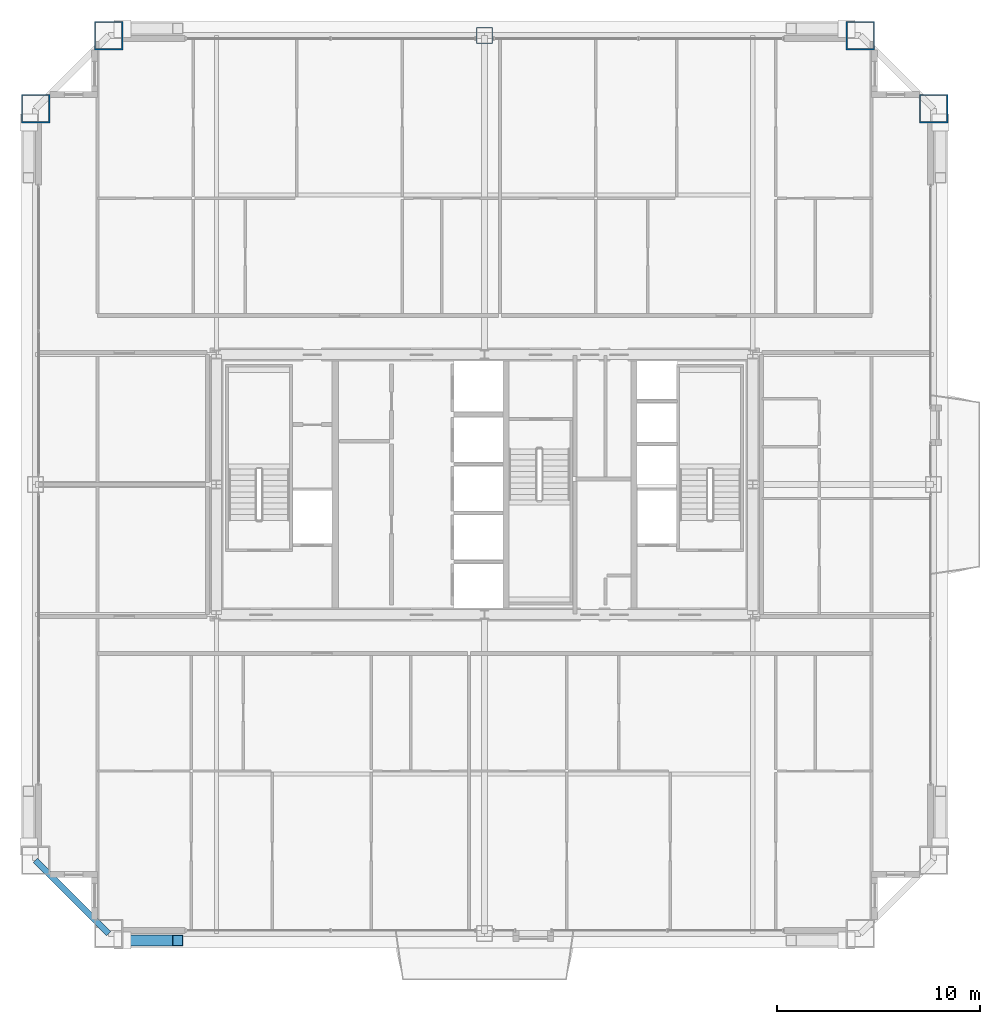
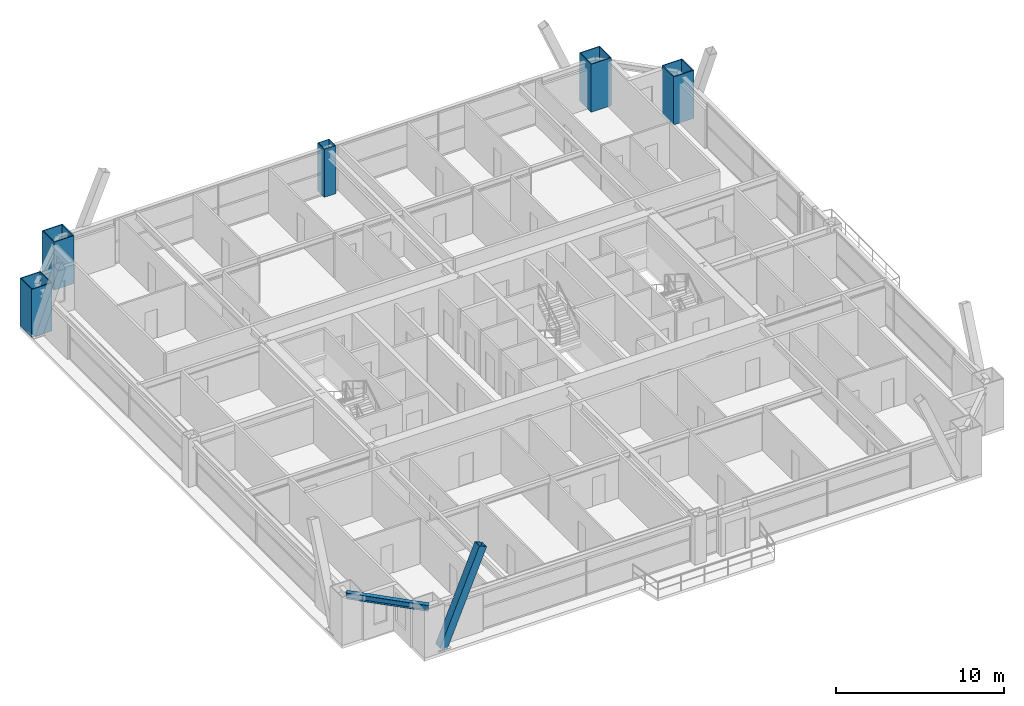
# One storey, part 3 of 45: 5 columns, 1 beam, 1 member.
"""IFC4 building model written with IfcOpenShell, lengths in metres."""

from ifc_helpers import new_model, si_unit, direction, frame, origin, origin_2d, place, context, subcontext, project, spatial, hollow_rectangle, i_section, extrude, source, transform, mapped, material, material_profile, profile_set, type_object, element, save


model = new_model("IFC4")

# Units and contexts
model_context = context("Model", 3, precision=1e-05, world=origin(), true_north=direction((0.0, 1.0)))
body_context = subcontext(model_context, "Body", "Model", "MODEL_VIEW")
ifc_project = project(units=[si_unit("LENGTHUNIT", "METRE"), si_unit("AREAUNIT", "SQUARE_METRE"), si_unit("VOLUMEUNIT", "CUBIC_METRE"), si_unit("PLANEANGLEUNIT", "RADIAN"), si_unit("MASSUNIT", "GRAM", prefix="KILO"), si_unit("THERMODYNAMICTEMPERATUREUNIT", "KELVIN"), si_unit("POWERUNIT", "WATT")], contexts=[model_context])

# Site, building, storey
site_placement = place(None, origin())
site = spatial("IfcSite", under=ifc_project, at=site_placement, CompositionType="ELEMENT")
building_placement = place(site_placement, origin())
building = spatial("IfcBuilding", under=site, at=building_placement, Name="Yuzanri Waterfront Tower", CompositionType="ELEMENT")
storey_placement = place(building_placement, frame((0.0, 0.0, 191.5)))
storey = spatial("IfcBuildingStorey", under=building, at=storey_placement, Name="L50", CompositionType="ELEMENT", Elevation=191.5)

# Columns
ifc_material_1 = material(Name="Steel Q420GJC", Category="steel")
ifc_material_profile_1 = material_profile(ifc_material_1, hollow_rectangle(XDim=1.39990234375, YDim=1.39990234375, WallThickness=0.06005859375, at=origin_2d()), Name="RHS 1400x1400x60")
ifc_profile_set_1 = profile_set([ifc_material_profile_1], Name="Steel Q420GJC")
column_type_1 = type_object("IfcColumnType", Name="Mega Column Q420GJC RHS 1400x1400x60", PredefinedType="COLUMN", material=ifc_profile_set_1)
shared_shape_1 = source(origin(), body_context, "Body", "SweptSolid", [
    extrude(hollow_rectangle(XDim=1.39990234375, YDim=1.39990234375, WallThickness=0.06005859375, at=origin_2d()), origin(), (0.0, 0.0, 1.0), 3.5),
])
for number, where, z_axis, x_axis, name in (
    (1, (18.5, 47.89990234375, 0.0), (0.0, 0.0, 1.0), (1.0, 0.0, 0.0), "L50 Perimeter Mega Column N1"),
    (2, (55.5, 47.89990234375, 0.0), (0.0, 0.0, 1.0), (1.0, 0.0, 0.0), "L50 Perimeter Mega Column N3"),
    (3, (14.89990234375, 44.300048828125, 0.0), (0.0, 0.0, 1.0), (1.0, 0.0, 0.0), "L50 Perimeter Mega Column W3"),
    (4, (59.10009765625, 44.300048828125, 0.0), (0.0, 0.0, 1.0), (1.0, 0.0, 0.0), "L50 Perimeter Mega Column E3"),
):
    element("IfcColumn", number, at=place(storey_placement, frame(where, z_axis=z_axis, x_axis=x_axis)), inside=storey, type_object=column_type_1, Name=name, PredefinedType="COLUMN", context=body_context, shape_type="MappedRepresentation", body=[
        mapped(shared_shape_1, transform((0.0, 0.0, 0.0), scale=1.0)),
    ])
ifc_material_2 = material(Name="Steel Q390GJC", Category="steel")
ifc_material_profile_2 = material_profile(ifc_material_2, hollow_rectangle(XDim=0.800048828125, YDim=0.800048828125, WallThickness=0.035888671875, at=origin_2d()), Name="RHS 800x800x36")
ifc_profile_set_2 = profile_set([ifc_material_profile_2], Name="Steel Q390GJC")
column_type_2 = type_object("IfcColumnType", Name="Frame Column Q390GJC RHS 800x800x36", PredefinedType="COLUMN", material=ifc_profile_set_2)
shared_shape_2 = source(origin(), body_context, "Body", "SweptSolid", [
    extrude(hollow_rectangle(XDim=0.800048828125, YDim=0.800048828125, WallThickness=0.035888671875, at=origin_2d()), origin(), (0.0, 0.0, 1.0), 3.5),
])
column_placement = place(storey_placement, frame((37.0, 47.89990234375, 0.0), z_axis=(0.0, 0.0, 1.0), x_axis=(1.0, 0.0, 0.0)))
element("IfcColumn", 5, at=column_placement, inside=storey, type_object=column_type_2, Name="L50 Perimeter Frame Column N2", PredefinedType="COLUMN", context=body_context, shape_type="MappedRepresentation", body=[
    mapped(shared_shape_2, transform((0.0, 0.0, 0.0), scale=1.0)),
])

# Beam
ifc_material_3 = material(Name="Steel Q355B", Category="steel")
ifc_material_profile_3 = material_profile(ifc_material_3, i_section(OverallWidth=0.300048828125, OverallDepth=0.43994140625, WebThickness=0.010986328125, FlangeThickness=0.01806640625, at=origin_2d()), Name="HM 440x300x11x18")
ifc_profile_set_3 = profile_set([ifc_material_profile_3], Name="Steel Q355B")
beam_type = type_object("IfcBeamType", Name="Perimeter Spandrel Q355B HM 440x300", PredefinedType="SPANDREL", material=ifc_profile_set_3)
shared_shape_3 = source(origin(), body_context, "Body", "SweptSolid", [
    extrude(i_section(OverallWidth=0.300048828125, OverallDepth=0.43994140625, WebThickness=0.010986328125, FlangeThickness=0.01806640625, at=origin_2d()), origin(), (0.0, 0.0, 1.0), 5.09130859375),
])
beam_placement = place(storey_placement, frame((14.89990234375, 7.300048828125, 3.06005859375), z_axis=(0.707106781187, -0.707106781187, 0.0), x_axis=(0.707106781187, 0.707106781187, 0.0)))
element("IfcBeam", 6, at=beam_placement, inside=storey, type_object=beam_type, Name="L50 Perimeter Spandrel W1-S1", PredefinedType="SPANDREL", context=body_context, shape_type="MappedRepresentation", body=[
    mapped(shared_shape_3, transform((0.0, 0.0, 0.0), scale=1.0)),
])

# Member
ifc_material_4 = material(Name="Steel Q390GJC", Category="steel")
ifc_material_profile_4 = material_profile(ifc_material_4, hollow_rectangle(XDim=0.550048828125, YDim=0.550048828125, WallThickness=0.02490234375, at=origin_2d()), Name="RHS 550x550x25")
ifc_profile_set_4 = profile_set([ifc_material_profile_4], Name="Steel Q390GJC")
member_type = type_object("IfcMemberType", Name="Mega Brace Mid Q390GJC RHS 550x550x25", PredefinedType="BRACE", material=ifc_profile_set_4)
shared_shape_4 = source(origin(), body_context, "Body", "SweptSolid", [
    extrude(hollow_rectangle(XDim=0.550048828125, YDim=0.550048828125, WallThickness=0.02490234375, at=origin_2d()), origin(), (0.0, 0.0, 1.0), 7.046142578125),
])
member_placement = place(storey_placement, frame((19.179931640625, 3.360107421875, 0.179931640625), z_axis=(0.386022211732, 0.0, 0.922489486146), x_axis=(0.0, 1.0, 0.0)))
element("IfcMember", 7, at=member_placement, inside=storey, type_object=member_type, Name="L50-L51 Perimeter Mega-Brace S-L", PredefinedType="BRACE", context=body_context, shape_type="MappedRepresentation", body=[
    mapped(shared_shape_4, transform((0.0, 0.0, 0.0), scale=1.0)),
])

save(model, "model.ifc")
